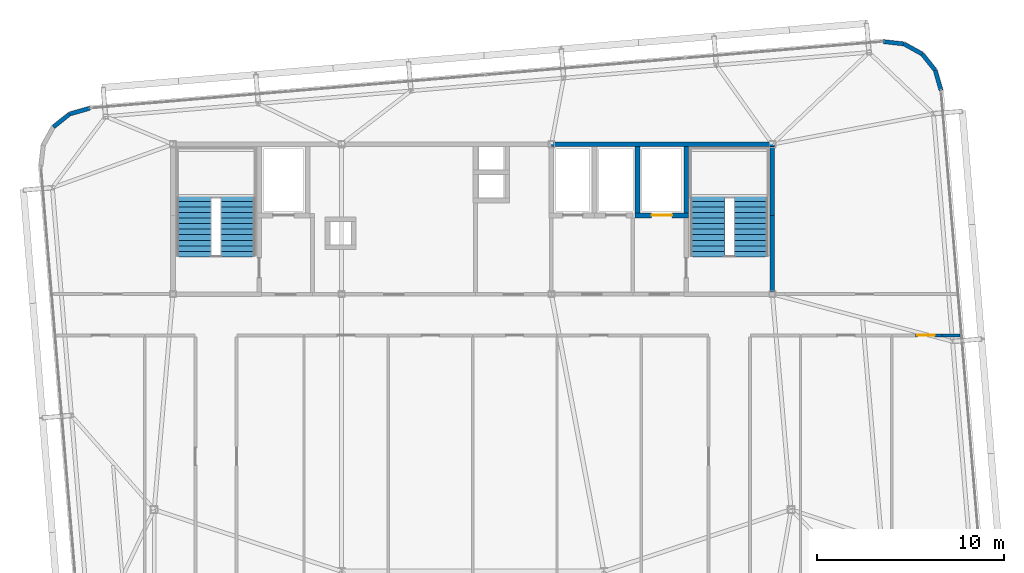
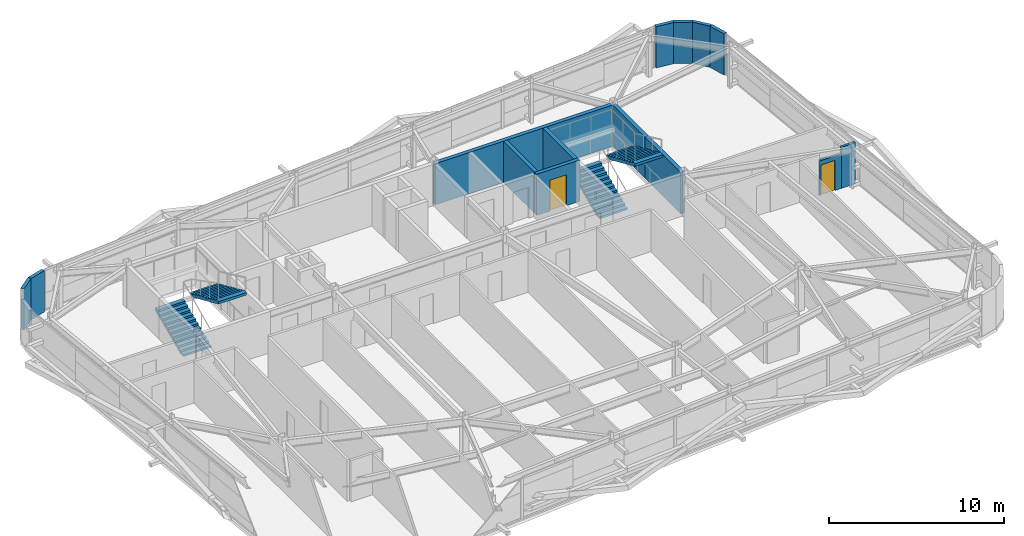
# One storey, part 37 of 39: 14 walls, 4 stair flights, 2 doors, 2 openings, 2 elements without a shape of their own.
"""IFC4 building model written with IfcOpenShell, lengths in metres."""

from ifc_helpers import new_model, si_unit, direction, frame, frame_2d, origin, place, context, subcontext, project, spatial, polyline, rectangle, outline, extrude, source, transform, mapped, material, layer, layer_set, type_object, element, fill, aggregate, save


model = new_model("IFC4")

# Units and contexts
model_context = context("Model", 3, precision=1e-05, world=origin(), true_north=direction((0.0, 1.0)))
body_context = subcontext(model_context, "Body", "Model", "MODEL_VIEW")
ifc_project = project(units=[si_unit("LENGTHUNIT", "METRE"), si_unit("AREAUNIT", "SQUARE_METRE"), si_unit("VOLUMEUNIT", "CUBIC_METRE"), si_unit("PLANEANGLEUNIT", "RADIAN"), si_unit("MASSUNIT", "GRAM", prefix="KILO")], contexts=[model_context])

# Site, building, storey
site_placement = place(None, origin())
site = spatial("IfcSite", under=ifc_project, at=site_placement, CompositionType="ELEMENT")
building_placement = place(site_placement, origin())
building = spatial("IfcBuilding", under=site, at=building_placement, Name="Taldren Reach Tower", CompositionType="ELEMENT")
storey_placement = place(building_placement, frame((0.0, 0.0, 204.050048828125)))
storey = spatial("IfcBuildingStorey", under=building, at=storey_placement, Name="L62", CompositionType="ELEMENT", Elevation=204.050048828125)

# Walls
ifc_material_1 = material(Name="Pale Champagne Anodised Aluminium Cladding", Category="aluminium")
ifc_layer_1 = layer(ifc_material_1, 0.04, Name="Pale Champagne Anodised Aluminium Cladding", Category="aluminium")
ifc_material_2 = material(Name="Mineral Wool Acoustic Insulation", Category="insulation")
ifc_layer_2 = layer(ifc_material_2, 0.06, Name="Mineral Wool Acoustic Insulation", Category="insulation")
ifc_material_3 = material(Name="Steel Gr 350 (C350L0)", Category="steel")
ifc_layer_3 = layer(ifc_material_3, 0.12, Name="Steel Gr 350 (C350L0)", Category="steel")
ifc_layer_set_1 = layer_set([ifc_layer_1, ifc_layer_2, ifc_layer_3], Name="Pale Champagne Aluminium Cladding and Steel Gr 350 Stud Framing")
wall_type_1 = type_object("IfcWallType", Name="EW-CRN-220", PredefinedType="SOLIDWALL", material=ifc_layer_set_1)
shared_shape_1 = source(origin(), body_context, "Body", "SweptSolid", [
    extrude(rectangle(XDim=1.11572265625, YDim=0.219970703125, at=frame_2d((0.557861328125, 0.0))), origin(), (0.0, 0.0, 1.0), 2.869873046875),
])
wall_1_placement = place(storey_placement, frame((13.491455078125, 33.6162109375, 0.0), z_axis=(0.0, 0.0, 1.0), x_axis=(-0.782062884215, -0.623199522732, 0.0)))
element("IfcWall", 1, at=wall_1_placement, inside=storey, type_object=wall_type_1, Name="Rounded-corner pale-metal facade wall L62-NW2", PredefinedType="SOLIDWALL", context=body_context, shape_type="MappedRepresentation", body=[
    mapped(shared_shape_1, transform((0.0, 0.0, 0.0), scale=1.0)),
])
shared_shape_2 = source(origin(), body_context, "Body", "SweptSolid", [
    extrude(rectangle(XDim=1.115966796875, YDim=0.219970703125, at=frame_2d((0.55810546875, 0.0))), origin(), (0.0, 0.0, 1.0), 2.869873046875),
])
for number, where, z_axis, x_axis, name in (
    (2, (60.004150390625, 34.870361328125, 0.0), (0.0, 0.0, 1.0), (-0.276512002475, 0.961010464297, 0.0), "Rounded-corner pale-metal facade wall L62-NE1"),
    (3, (59.695556640625, 35.94287109375, 0.0), (0.0, 0.0, 1.0), (-0.623092886403, 0.782147847222, 0.0), "Rounded-corner pale-metal facade wall L62-NE2"),
    (4, (59.000244140625, 36.815673828125, 0.0), (0.0, 0.0, 1.0), (-0.875105012065, 0.483933071672, 0.0), "Rounded-corner pale-metal facade wall L62-NE3"),
    (5, (58.023681640625, 37.355712890625, 0.0), (0.0, 0.0, 1.0), (-0.993657581277, 0.112448259968, 0.0), "Rounded-corner pale-metal facade wall L62-NE4"),
    (6, (14.56396484375, 33.9248046875, 0.0), (0.0, 0.0, 1.0), (-0.961010464297, -0.276512002475, 0.0), "Rounded-corner pale-metal facade wall L62-NW1"),
):
    element("IfcWall", number, at=place(storey_placement, frame(where, z_axis=z_axis, x_axis=x_axis)), inside=storey, type_object=wall_type_1, Name=name, PredefinedType="SOLIDWALL", context=body_context, shape_type="MappedRepresentation", body=[
        mapped(shared_shape_2, transform((0.0, 0.0, 0.0), scale=1.0)),
    ])
ifc_material_4 = material(Name="Concrete S65 (65 MPa)", Category="concrete")
ifc_layer_4 = layer(ifc_material_4, 0.25)
ifc_layer_set_2 = layer_set([ifc_layer_4], Name="Concrete S65 (65 MPa)")
wall_type_2 = type_object("IfcWallType", Name="IW-CORE-250", PredefinedType="SHEAR", material=ifc_layer_set_2)
shared_shape_3 = source(origin(), body_context, "Body", "SweptSolid", [
    extrude(rectangle(XDim=11.925048828125, YDim=0.25, at=frame_2d((5.96240234375, 0.0))), origin(), (0.0, 0.0, 1.0), 2.869873046875),
])
wall_2_placement = place(storey_placement, frame((39.199951171875, 32.0, 0.0), z_axis=(0.0, 0.0, 1.0), x_axis=(1.0, 0.0, 0.0)))
element("IfcWall", 7, at=wall_2_placement, inside=storey, type_object=wall_type_2, Name="Rear Core Shear Wall W-CORE-L62-NORTH3", PredefinedType="SHEAR", context=body_context, shape_type="MappedRepresentation", body=[
    mapped(shared_shape_3, transform((0.0, 0.0, 0.0), scale=1.0)),
])
shared_shape_4 = source(origin(), body_context, "Body", "SweptSolid", [
    extrude(rectangle(XDim=4.074951171875, YDim=0.25, at=frame_2d((2.03759765625, 0.0))), origin(), (0.0, 0.0, 1.0), 2.869873046875),
])
wall_3_placement = place(storey_placement, frame((51.0, 24.125, 0.0), z_axis=(0.0, 0.0, 1.0), x_axis=(0.0, 1.0, 0.0)))
element("IfcWall", 8, at=wall_3_placement, inside=storey, type_object=wall_type_2, Name="Rear Core Shear Wall W-CORE-L62-EAST1", PredefinedType="SHEAR", context=body_context, shape_type="MappedRepresentation", body=[
    mapped(shared_shape_4, transform((0.0, 0.0, 0.0), scale=1.0)),
])
shared_shape_5 = source(origin(), body_context, "Body", "SweptSolid", [
    extrude(rectangle(XDim=3.675048828125, YDim=0.25, at=frame_2d((1.83740234375, 0.0))), origin(), (0.0, 0.0, 1.0), 2.869873046875),
])
wall_4_placement = place(storey_placement, frame((51.0, 28.199951171875, 0.0), z_axis=(0.0, 0.0, 1.0), x_axis=(0.0, 1.0, 0.0)))
element("IfcWall", 9, at=wall_4_placement, inside=storey, type_object=wall_type_2, Name="Rear Core Shear Wall W-CORE-L62-EAST2", PredefinedType="SHEAR", context=body_context, shape_type="MappedRepresentation", body=[
    mapped(shared_shape_5, transform((0.0, 0.0, 0.0), scale=1.0)),
])
shared_shape_6 = source(origin(), body_context, "Body", "SweptSolid", [
    extrude(rectangle(XDim=3.550048828125, YDim=0.25, at=frame_2d((1.77490234375, 0.0))), origin(), (0.0, 0.0, 1.0), 2.869873046875),
])
for number, where, z_axis, x_axis, name in (
    (10, (46.39990234375, 31.875, 0.0), (0.0, 0.0, 1.0), (0.0, -1.0, 0.0), "Rear Core Shear Wall W-INT-L62-008"),
    (11, (43.800048828125, 31.875, 0.0), (0.0, 0.0, 1.0), (0.0, -1.0, 0.0), "Rear Core Shear Wall W-INT-L62-012"),
):
    element("IfcWall", number, at=place(storey_placement, frame(where, z_axis=z_axis, x_axis=x_axis)), inside=storey, type_object=wall_type_2, Name=name, PredefinedType="SHEAR", context=body_context, shape_type="MappedRepresentation", body=[
        mapped(shared_shape_6, transform((0.0, 0.0, 0.0), scale=1.0)),
    ])

# Wall, opening, door
shared_shape_7 = source(origin(), body_context, "Body", "SweptSolid", [
    extrude(rectangle(XDim=2.849853515625, YDim=0.25, at=frame_2d((1.4248046875, 0.0))), origin(), (0.0, 0.0, 1.0), 2.869873046875),
])
wall_5_placement = place(storey_placement, frame((43.675048828125, 28.199951171875, 0.0), z_axis=(0.0, 0.0, 1.0), x_axis=(1.0, 0.0, 0.0)))
wall_5 = element("IfcWall", 12, at=wall_5_placement, inside=storey, type_object=wall_type_2, Name="Rear Core Shear Wall W-INT-L62-011", PredefinedType="SHEAR", context=body_context, shape_type="MappedRepresentation", body=[
    mapped(shared_shape_7, transform((0.0, 0.0, 0.0), scale=1.0)),
])
shared_shape_8 = source(origin(), body_context, "Body", "SweptSolid", [
    extrude(rectangle(XDim=1.10009765625, YDim=2.14990234375, at=frame_2d((0.550048828125, 1.074951171875))), frame((0.0, 0.135009765625, 0.0), z_axis=(0.0, -1.0, 0.0), x_axis=(1.0, 0.0, 0.0)), (0.0, 0.0, 1.0), 0.27001953125),
])
opening_1_placement = place(wall_5_placement, frame((0.875, 0.0, 0.0)))
opening_1 = element("IfcOpeningElement", 13, at=opening_1_placement, cuts=wall_5, Name="Opening LD-FL2", PredefinedType="OPENING", context=body_context, shape_type="MappedRepresentation", body=[
    mapped(shared_shape_8, transform((0.0, 0.0, 0.0), scale=1.0)),
])
ifc_material_5 = material(Name="Stainless Steel Gr 316 Emergency Lift Landing Door", Category="steel")
door_type_1 = type_object("IfcDoorType", Name="LD-EMG-110", OperationType="SLIDING_TO_LEFT", PredefinedType="DOOR", material=ifc_material_5)
shared_shape_9 = source(origin(), body_context, "Body", "SweptSolid", [
    extrude(rectangle(XDim=1.10009765625, YDim=2.14990234375, at=frame_2d((0.550048828125, 1.074951171875))), frame((0.0, 0.02490234375, 0.0), z_axis=(0.0, -1.0, 0.0), x_axis=(1.0, 0.0, 0.0)), (0.0, 0.0, 1.0), 0.050048828125),
])
door_1_placement = place(opening_1_placement, origin())
door_1 = element("IfcDoor", 14, at=door_1_placement, inside=storey, type_object=door_type_1, Name="Lift Landing Door LD-FL2-L62", OperationType="SLIDING_TO_LEFT", OverallHeight=2.14990234375, OverallWidth=1.10009765625, PredefinedType="DOOR", context=body_context, shape_type="MappedRepresentation", body=[
    mapped(shared_shape_9, transform((0.0, 0.0, 0.0), scale=1.0)),
])
fill(opening_1, door_1)

# Wall
ifc_material_6 = material(Name="Fire-Rated Acoustic Plasterboard Stud Wall", Category="gypsum")
ifc_layer_5 = layer(ifc_material_6, 0.159912109375)
ifc_layer_set_3 = layer_set([ifc_layer_5], Name="Fire-Rated Acoustic Plasterboard Stud Wall")
wall_type_3 = type_object("IfcWallType", Name="IW-FIRE-160", PredefinedType="PARTITIONING", material=ifc_layer_set_3)
shared_shape_10 = source(origin(), body_context, "Body", "SweptSolid", [
    extrude(rectangle(XDim=0.9453125, YDim=0.159912109375, at=frame_2d((0.47265625, 0.0))), origin(), (0.0, 0.0, 1.0), 2.869873046875),
])
wall_6_placement = place(storey_placement, frame((61.004638671875, 21.800048828125, 0.0), z_axis=(0.0, 0.0, 1.0), x_axis=(-1.0, 0.0, 0.0)))
element("IfcWall", 15, at=wall_6_placement, inside=storey, type_object=wall_type_3, Name="Interior Partition Wall W-INT-L62-053", PredefinedType="PARTITIONING", context=body_context, shape_type="MappedRepresentation", body=[
    mapped(shared_shape_10, transform((0.0, 0.0, 0.0), scale=1.0)),
])

# Wall, opening, door
shared_shape_11 = source(origin(), body_context, "Body", "SweptSolid", [
    extrude(rectangle(XDim=1.423095703125, YDim=0.159912109375, at=frame_2d((0.71142578125, 0.0))), origin(), (0.0, 0.0, 1.0), 2.409912109375),
])
wall_7_placement = place(storey_placement, frame((60.059326171875, 21.800048828125, 0.0), z_axis=(0.0, 0.0, 1.0), x_axis=(-1.0, 0.0, 0.0)))
wall_7 = element("IfcWall", 16, at=wall_7_placement, inside=storey, type_object=wall_type_3, Name="Interior Partition Wall W-INT-L62-053 part 2", PredefinedType="PARTITIONING", context=body_context, shape_type="MappedRepresentation", body=[
    mapped(shared_shape_11, transform((0.0, 0.0, 0.0), scale=1.0)),
])
shared_shape_12 = source(origin(), body_context, "Body", "SweptSolid", [
    extrude(rectangle(XDim=0.919921875, YDim=2.10009765625, at=frame_2d((0.4599609375, 1.050048828125))), frame((0.0, 0.08984375, 0.0), z_axis=(0.0, -1.0, 0.0), x_axis=(1.0, 0.0, 0.0)), (0.0, 0.0, 1.0), 0.179931640625),
])
opening_2_placement = place(wall_7_placement, frame((0.4033203125, 0.0, 0.0)))
opening_2 = element("IfcOpeningElement", 17, at=opening_2_placement, cuts=wall_7, Name="Opening DI-092", PredefinedType="OPENING", context=body_context, shape_type="MappedRepresentation", body=[
    mapped(shared_shape_12, transform((0.0, 0.0, 0.0), scale=1.0)),
])
ifc_material_7 = material(Name="Solid-Core Timber Suite Door", Category="wood")
door_type_2 = type_object("IfcDoorType", Name="ID-INT-092", OperationType="NOTDEFINED", PredefinedType="DOOR", material=ifc_material_7)
shared_shape_13 = source(origin(), body_context, "Body", "SweptSolid", [
    extrude(rectangle(XDim=0.919921875, YDim=2.10009765625, at=frame_2d((0.4599609375, 1.050048828125))), frame((0.0, 0.02490234375, 0.0), z_axis=(0.0, -1.0, 0.0), x_axis=(1.0, 0.0, 0.0)), (0.0, 0.0, 1.0), 0.050048828125),
])
door_2_placement = place(opening_2_placement, origin())
door_2 = element("IfcDoor", 18, at=door_2_placement, inside=storey, type_object=door_type_2, Name="Interior Door DR-L62-019", OperationType="SINGLE_SWING_RIGHT", OverallHeight=2.10009765625, OverallWidth=0.919921875, PredefinedType="DOOR", context=body_context, shape_type="MappedRepresentation", body=[
    mapped(shared_shape_13, transform((0.0, 0.0, 0.0), scale=1.0)),
])
fill(opening_2, door_2)

# Stair, stair flights
ifc_material_8 = material(Name="Concrete S50 (50 MPa)", Category="concrete")
stair_type = type_object("IfcStairType", Name="ST-HT-315", PredefinedType="HALF_TURN_STAIR", material=ifc_material_8)
stair_1_placement = place(storey_placement, origin())
stair_1 = element("IfcStair", 19, at=stair_1_placement, inside=storey, type_object=stair_type, Name="Fire-isolated exit stair ST1 L62", PredefinedType="HALF_TURN_STAIR")
stair_flight_type = type_object("IfcStairFlightType", Name="SF-STR-315", PredefinedType="STRAIGHT", material=ifc_material_8)
stair_flight_1_placement = place(storey_placement, frame((20.139892578125, 25.989990234375, 0.0), z_axis=(0.0, 0.0, 1.0), x_axis=(0.0, 1.0, 0.0)))
stair_flight_1 = element("IfcStairFlight", 20, at=stair_flight_1_placement, type_object=stair_flight_type, Name="ST1 flight 1", NumberOfRisers=12, NumberOfTreads=11, PredefinedType="STRAIGHT", RiserHeight=0.13125, TreadLength=0.295, context=body_context, shape_type="SweptSolid", body=[
    extrude(outline(polyline([(0.0, 0.0), (0.0, 0.13134765625), (0.294921875, 0.13134765625), (0.294921875, 0.262451171875), (0.590087890625, 0.262451171875), (0.590087890625, 0.393798828125), (0.885009765625, 0.393798828125), (0.885009765625, 0.52490234375), (1.179931640625, 0.52490234375), (1.179931640625, 0.65625), (1.47509765625, 0.65625), (1.47509765625, 0.78759765625), (1.77001953125, 0.78759765625), (1.77001953125, 0.918701171875), (2.06494140625, 0.918701171875), (2.06494140625, 1.050048828125), (2.360107421875, 1.050048828125), (2.360107421875, 1.18115234375), (2.655029296875, 1.18115234375), (2.655029296875, 1.3125), (2.949951171875, 1.3125), (2.949951171875, 1.44384765625), (3.2451171875, 1.44384765625), (3.2451171875, 1.574951171875), (3.2451171875, 1.268798828125), (0.393310546875, 0.0), (0.0, 0.0)])), frame((0.0, 0.919921875, 0.0), z_axis=(0.0, -1.0, 0.0), x_axis=(1.0, 0.0, 0.0)), (0.0, 0.0, 1.0), 1.840087890625),
])
stair_flight_2_placement = place(storey_placement, frame((22.4599609375, 29.235107421875, 1.574951171875), z_axis=(0.0, 0.0, 1.0), x_axis=(0.0, -1.0, 0.0)))
stair_flight_2 = element("IfcStairFlight", 21, at=stair_flight_2_placement, type_object=stair_flight_type, Name="ST1 flight 2", NumberOfRisers=12, NumberOfTreads=11, PredefinedType="STRAIGHT", RiserHeight=0.13125, TreadLength=0.295, context=body_context, shape_type="SweptSolid", body=[
    extrude(outline(polyline([(0.0, 0.0), (0.0, 0.13134765625), (0.294921875, 0.13134765625), (0.294921875, 0.262451171875), (0.590087890625, 0.262451171875), (0.590087890625, 0.393798828125), (0.885009765625, 0.393798828125), (0.885009765625, 0.52490234375), (1.179931640625, 0.52490234375), (1.179931640625, 0.65625), (1.47509765625, 0.65625), (1.47509765625, 0.78759765625), (1.77001953125, 0.78759765625), (1.77001953125, 0.918701171875), (2.06494140625, 0.918701171875), (2.06494140625, 1.050048828125), (2.360107421875, 1.050048828125), (2.360107421875, 1.18115234375), (2.655029296875, 1.18115234375), (2.655029296875, 1.3125), (2.949951171875, 1.3125), (2.949951171875, 1.44384765625), (3.2451171875, 1.44384765625), (3.2451171875, 1.574951171875), (3.2451171875, 1.268798828125), (0.393310546875, 0.0), (0.0, 0.0)])), frame((0.0, 0.919921875, 0.0), z_axis=(0.0, -1.0, 0.0), x_axis=(1.0, 0.0, 0.0)), (0.0, 0.0, 1.0), 1.840087890625),
])
aggregate(stair_1, [stair_flight_1, stair_flight_2])

stair_2_placement = place(storey_placement, origin())
stair_2 = element("IfcStair", 22, at=stair_2_placement, inside=storey, type_object=stair_type, Name="Fire-isolated exit stair ST2 L62", PredefinedType="HALF_TURN_STAIR")
stair_flight_3_placement = place(storey_placement, frame((47.5400390625, 25.989990234375, 0.0), z_axis=(0.0, 0.0, 1.0), x_axis=(0.0, 1.0, 0.0)))
stair_flight_3 = element("IfcStairFlight", 23, at=stair_flight_3_placement, type_object=stair_flight_type, Name="ST2 flight 1", NumberOfRisers=12, NumberOfTreads=11, PredefinedType="STRAIGHT", RiserHeight=0.13125, TreadLength=0.295, context=body_context, shape_type="SweptSolid", body=[
    extrude(outline(polyline([(0.0, 0.0), (0.0, 0.13134765625), (0.294921875, 0.13134765625), (0.294921875, 0.262451171875), (0.590087890625, 0.262451171875), (0.590087890625, 0.393798828125), (0.885009765625, 0.393798828125), (0.885009765625, 0.52490234375), (1.179931640625, 0.52490234375), (1.179931640625, 0.65625), (1.47509765625, 0.65625), (1.47509765625, 0.78759765625), (1.77001953125, 0.78759765625), (1.77001953125, 0.918701171875), (2.06494140625, 0.918701171875), (2.06494140625, 1.050048828125), (2.360107421875, 1.050048828125), (2.360107421875, 1.18115234375), (2.655029296875, 1.18115234375), (2.655029296875, 1.3125), (2.949951171875, 1.3125), (2.949951171875, 1.44384765625), (3.2451171875, 1.44384765625), (3.2451171875, 1.574951171875), (3.2451171875, 1.268798828125), (0.393310546875, 0.0), (0.0, 0.0)])), frame((0.0, 0.919921875, 0.0), z_axis=(0.0, -1.0, 0.0), x_axis=(1.0, 0.0, 0.0)), (0.0, 0.0, 1.0), 1.840087890625),
])
stair_flight_4_placement = place(storey_placement, frame((49.860107421875, 29.235107421875, 1.574951171875), z_axis=(0.0, 0.0, 1.0), x_axis=(0.0, -1.0, 0.0)))
stair_flight_4 = element("IfcStairFlight", 24, at=stair_flight_4_placement, type_object=stair_flight_type, Name="ST2 flight 2", NumberOfRisers=12, NumberOfTreads=11, PredefinedType="STRAIGHT", RiserHeight=0.13125, TreadLength=0.295, context=body_context, shape_type="SweptSolid", body=[
    extrude(outline(polyline([(0.0, 0.0), (0.0, 0.13134765625), (0.294921875, 0.13134765625), (0.294921875, 0.262451171875), (0.590087890625, 0.262451171875), (0.590087890625, 0.393798828125), (0.885009765625, 0.393798828125), (0.885009765625, 0.52490234375), (1.179931640625, 0.52490234375), (1.179931640625, 0.65625), (1.47509765625, 0.65625), (1.47509765625, 0.78759765625), (1.77001953125, 0.78759765625), (1.77001953125, 0.918701171875), (2.06494140625, 0.918701171875), (2.06494140625, 1.050048828125), (2.360107421875, 1.050048828125), (2.360107421875, 1.18115234375), (2.655029296875, 1.18115234375), (2.655029296875, 1.3125), (2.949951171875, 1.3125), (2.949951171875, 1.44384765625), (3.2451171875, 1.44384765625), (3.2451171875, 1.574951171875), (3.2451171875, 1.268798828125), (0.393310546875, 0.0), (0.0, 0.0)])), frame((0.0, 0.919921875, 0.0), z_axis=(0.0, -1.0, 0.0), x_axis=(1.0, 0.0, 0.0)), (0.0, 0.0, 1.0), 1.840087890625),
])
aggregate(stair_2, [stair_flight_3, stair_flight_4])

save(model, "model.ifc")
